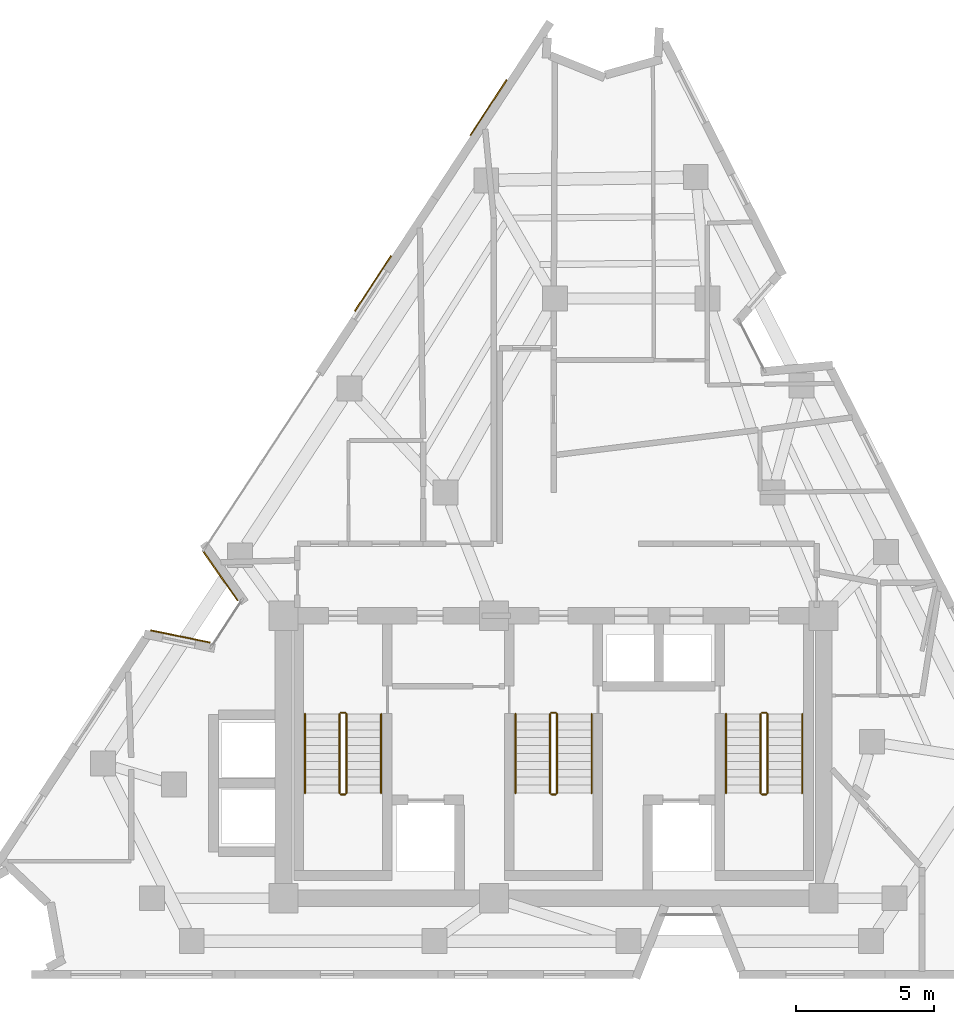
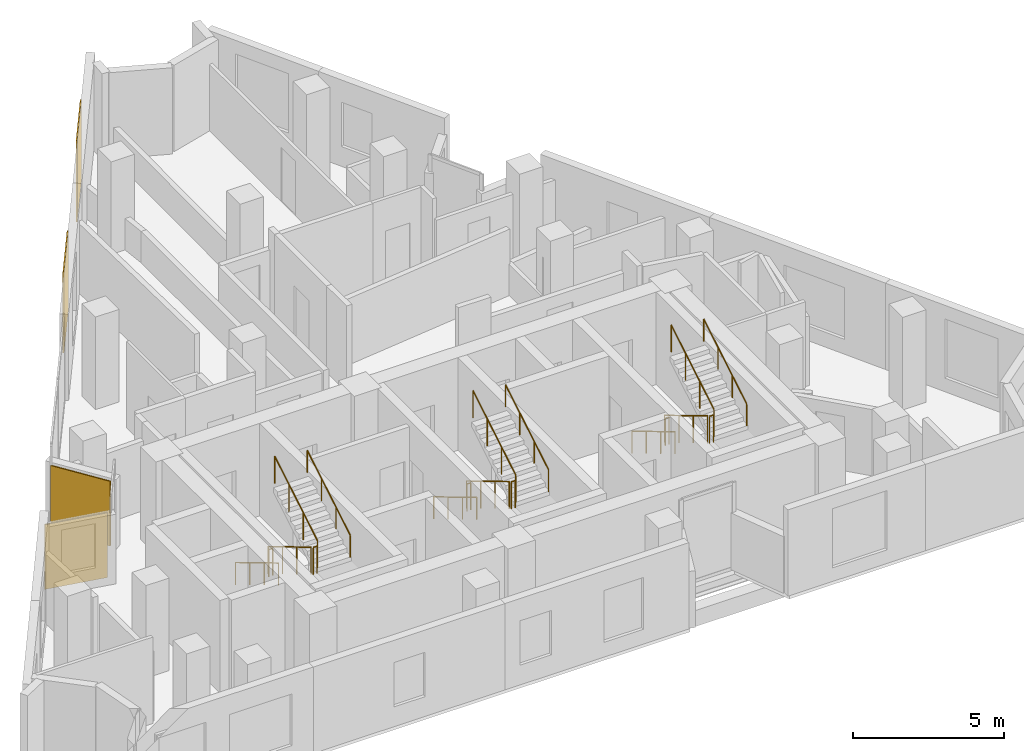
# One storey, part 9 of 9: 18 railings, 4 coverings.
"""IFC4 building model written with IfcOpenShell, lengths in metres."""

from ifc_helpers import new_model, si_unit, direction, frame, origin, origin_2d, place, context, subcontext, project, spatial, rectangle, circle, extrude, material, layer, layer_set, type_object, element, save


model = new_model("IFC4")

# Units and contexts
model_context = context("Model", 3, precision=1e-05, world=origin(), true_north=direction((0.0, 1.0)))
body_context = subcontext(model_context, "Body", "Model", "MODEL_VIEW")
ifc_project = project(units=[si_unit("LENGTHUNIT", "METRE"), si_unit("AREAUNIT", "SQUARE_METRE"), si_unit("VOLUMEUNIT", "CUBIC_METRE"), si_unit("PLANEANGLEUNIT", "RADIAN"), si_unit("MASSUNIT", "GRAM", prefix="KILO")], contexts=[model_context])

# Site, building, storey
site_placement = place(None, origin())
site = spatial("IfcSite", under=ifc_project, at=site_placement, CompositionType="ELEMENT")
building_placement = place(site_placement, origin())
building = spatial("IfcBuilding", under=site, at=building_placement, Name="Almagre Mirador Tower", CompositionType="ELEMENT")
storey_placement = place(building_placement, frame((0.0, 0.0, 248.25)))
storey = spatial("IfcBuildingStorey", under=building, at=storey_placement, Name="L64", CompositionType="ELEMENT", Elevation=248.25)

# Coverings
ifc_material_1 = material(Name="Almagre terracotta architectural cladding", Category="masonry")
ifc_layer = layer(ifc_material_1, 0.044921875)
ifc_layer_set = layer_set([ifc_layer], Name="Almagre terracotta architectural cladding")
covering_type = type_object("IfcCoveringType", Name="COV-CLAD-ALMAGRE", PredefinedType="CLADDING", material=ifc_layer_set)
for number, where, z_axis, x_axis, name in (
    (1, (23.82568359375, 14.001953125, 0.10009765625), (0.0, 0.0, 1.0), (0.979501484897, -0.201436940713, 0.0), "L64 almagre terracotta pier cladding"),
    (2, (25.26611328125, 16.195556640625, 0.10009765625), (0.0, 0.0, 1.0), (-0.573590733164, 0.819142033367, 0.0), "L64 almagre terracotta pier cladding"),
):
    element("IfcCovering", number, at=place(storey_placement, frame(where, z_axis=z_axis, x_axis=x_axis)), inside=storey, type_object=covering_type, Name=name, PredefinedType="CLADDING", context=body_context, shape_type="SweptSolid", body=[
        extrude(rectangle(XDim=2.193115234375, YDim=0.044921875, at=origin_2d()), origin(), (0.0, 0.0, 1.0), 2.625),
    ])
for number, where, z_axis, x_axis, name in (
    (3, (30.77978515625, 26.744140625, 0.10009765625), (0.0, 0.0, 1.0), (0.549051992844, 0.835788196347, 0.0), "L64 almagre terracotta pier cladding"),
    (4, (34.951171875, 33.093994140625, 0.10009765625), (0.0, 0.0, 1.0), (0.549051992844, 0.835788196347, 0.0), "L64 almagre terracotta pier cladding"),
):
    element("IfcCovering", number, at=place(storey_placement, frame(where, z_axis=z_axis, x_axis=x_axis)), inside=storey, type_object=covering_type, Name=name, PredefinedType="CLADDING", context=body_context, shape_type="SweptSolid", body=[
        extrude(rectangle(XDim=2.39990234375, YDim=0.044921875, at=origin_2d()), origin(), (0.0, 0.0, 1.0), 3.300048828125),
    ])

# Railings
ifc_material_2 = material(Name="Painted galvanized steel", Category="steel")
railing_type_1 = type_object("IfcRailingType", Name="RLG-GRD-1100", PredefinedType="GUARDRAIL", material=ifc_material_2)
railing_1_placement = place(storey_placement, frame((29.574951171875, 11.199951171875, 0.17041015625)))
element("IfcRailing", 5, at=railing_1_placement, inside=storey, type_object=railing_type_1, Name="L64 ST-1 stair guard 1", PredefinedType="GUARDRAIL", context=body_context, shape_type="SweptSolid", body=[
    extrude(circle(Radius=0.02392578125, at=origin_2d()), frame((0.0, 0.0, 1.09619140625), z_axis=(0.0, -0.858199205511, 0.513316786848), x_axis=(1.0, 0.0, 0.0)), (0.0, 0.0, 1.0), 3.32080078125),
    extrude(circle(Radius=0.02099609375, at=origin_2d()), origin(), (0.0, 0.0, 1.0), 1.072021484375),
    extrude(circle(Radius=0.02099609375, at=origin_2d()), frame((0.0, -0.949951171875, 0.568115234375)), (0.0, 0.0, 1.0), 1.072021484375),
    extrude(circle(Radius=0.02099609375, at=origin_2d()), frame((0.0, -1.89990234375, 1.136474609375)), (0.0, 0.0, 1.0), 1.072021484375),
    extrude(circle(Radius=0.02099609375, at=origin_2d()), frame((0.0, -2.849853515625, 1.70458984375)), (0.0, 0.0, 1.0), 1.072021484375),
])
railing_2_placement = place(storey_placement, frame((29.625, 8.300048828125, 1.875)))
element("IfcRailing", 6, at=railing_2_placement, inside=storey, type_object=railing_type_1, Name="L64 ST-1 stair guard 2", PredefinedType="GUARDRAIL", context=body_context, shape_type="SweptSolid", body=[
    extrude(circle(Radius=0.02392578125, at=origin_2d()), frame((0.0, 0.0, 1.09619140625), z_axis=(1.0, 0.0, 0.0), x_axis=(0.0, 1.0, 0.0)), (0.0, 0.0, 1.0), 0.14990234375),
    extrude(circle(Radius=0.02099609375, at=origin_2d()), origin(), (0.0, 0.0, 1.0), 1.072021484375),
    extrude(circle(Radius=0.02099609375, at=origin_2d()), frame((0.14990234375, 0.0, 0.0)), (0.0, 0.0, 1.0), 1.072021484375),
])
railing_3_placement = place(storey_placement, frame((29.824951171875, 8.35009765625, 2.04541015625)))
element("IfcRailing", 7, at=railing_3_placement, inside=storey, type_object=railing_type_1, Name="L64 ST-1 stair guard 3", PredefinedType="GUARDRAIL", context=body_context, shape_type="SweptSolid", body=[
    extrude(circle(Radius=0.02392578125, at=origin_2d()), frame((0.0, 0.0, 1.09619140625), z_axis=(0.0, 0.858199205511, 0.513316786848), x_axis=(-1.0, 0.0, 0.0)), (0.0, 0.0, 1.0), 3.32080078125),
    extrude(circle(Radius=0.02099609375, at=origin_2d()), origin(), (0.0, 0.0, 1.0), 1.072021484375),
    extrude(circle(Radius=0.02099609375, at=origin_2d()), frame((0.0, 0.949951171875, 0.568115234375)), (0.0, 0.0, 1.0), 1.072021484375),
    extrude(circle(Radius=0.02099609375, at=origin_2d()), frame((0.0, 1.89990234375, 1.136474609375)), (0.0, 0.0, 1.0), 1.072021484375),
    extrude(circle(Radius=0.02099609375, at=origin_2d()), frame((0.0, 2.849853515625, 1.70458984375)), (0.0, 0.0, 1.0), 1.072021484375),
])
railing_4_placement = place(storey_placement, frame((29.625, 11.25, 0.0)))
element("IfcRailing", 8, at=railing_4_placement, inside=storey, type_object=railing_type_1, Name="L64 ST-1 stair guard 4", PredefinedType="GUARDRAIL", context=body_context, shape_type="SweptSolid", body=[
    extrude(circle(Radius=0.02392578125, at=origin_2d()), frame((0.0, 0.0, 1.09619140625), z_axis=(1.0, 0.0, 0.0), x_axis=(0.0, 1.0, 0.0)), (0.0, 0.0, 1.0), 0.14990234375),
    extrude(circle(Radius=0.02099609375, at=origin_2d()), origin(), (0.0, 0.0, 1.0), 1.072021484375),
    extrude(circle(Radius=0.02099609375, at=origin_2d()), frame((0.14990234375, 0.0, 0.0)), (0.0, 0.0, 1.0), 1.072021484375),
])
railing_5_placement = place(storey_placement, frame((37.175048828125, 11.199951171875, 0.17041015625)))
element("IfcRailing", 9, at=railing_5_placement, inside=storey, type_object=railing_type_1, Name="L64 ST-2 stair guard 1", PredefinedType="GUARDRAIL", context=body_context, shape_type="SweptSolid", body=[
    extrude(circle(Radius=0.02392578125, at=origin_2d()), frame((0.0, 0.0, 1.09619140625), z_axis=(0.0, -0.858199205511, 0.513316786848), x_axis=(1.0, 0.0, 0.0)), (0.0, 0.0, 1.0), 3.32080078125),
    extrude(circle(Radius=0.02099609375, at=origin_2d()), origin(), (0.0, 0.0, 1.0), 1.072021484375),
    extrude(circle(Radius=0.02099609375, at=origin_2d()), frame((0.0, -0.949951171875, 0.568115234375)), (0.0, 0.0, 1.0), 1.072021484375),
    extrude(circle(Radius=0.02099609375, at=origin_2d()), frame((0.0, -1.89990234375, 1.136474609375)), (0.0, 0.0, 1.0), 1.072021484375),
    extrude(circle(Radius=0.02099609375, at=origin_2d()), frame((0.0, -2.849853515625, 1.70458984375)), (0.0, 0.0, 1.0), 1.072021484375),
])
railing_6_placement = place(storey_placement, frame((37.22509765625, 8.300048828125, 1.875)))
element("IfcRailing", 10, at=railing_6_placement, inside=storey, type_object=railing_type_1, Name="L64 ST-2 stair guard 2", PredefinedType="GUARDRAIL", context=body_context, shape_type="SweptSolid", body=[
    extrude(circle(Radius=0.02392578125, at=origin_2d()), frame((0.0, 0.0, 1.09619140625), z_axis=(1.0, 0.0, 0.0), x_axis=(0.0, 1.0, 0.0)), (0.0, 0.0, 1.0), 0.14990234375),
    extrude(circle(Radius=0.02099609375, at=origin_2d()), origin(), (0.0, 0.0, 1.0), 1.072021484375),
    extrude(circle(Radius=0.02099609375, at=origin_2d()), frame((0.14990234375, 0.0, 0.0)), (0.0, 0.0, 1.0), 1.072021484375),
])
railing_7_placement = place(storey_placement, frame((37.425048828125, 8.35009765625, 2.04541015625)))
element("IfcRailing", 11, at=railing_7_placement, inside=storey, type_object=railing_type_1, Name="L64 ST-2 stair guard 3", PredefinedType="GUARDRAIL", context=body_context, shape_type="SweptSolid", body=[
    extrude(circle(Radius=0.02392578125, at=origin_2d()), frame((0.0, 0.0, 1.09619140625), z_axis=(0.0, 0.858199205511, 0.513316786848), x_axis=(-1.0, 0.0, 0.0)), (0.0, 0.0, 1.0), 3.32080078125),
    extrude(circle(Radius=0.02099609375, at=origin_2d()), origin(), (0.0, 0.0, 1.0), 1.072021484375),
    extrude(circle(Radius=0.02099609375, at=origin_2d()), frame((0.0, 0.949951171875, 0.568115234375)), (0.0, 0.0, 1.0), 1.072021484375),
    extrude(circle(Radius=0.02099609375, at=origin_2d()), frame((0.0, 1.89990234375, 1.136474609375)), (0.0, 0.0, 1.0), 1.072021484375),
    extrude(circle(Radius=0.02099609375, at=origin_2d()), frame((0.0, 2.849853515625, 1.70458984375)), (0.0, 0.0, 1.0), 1.072021484375),
])
railing_8_placement = place(storey_placement, frame((37.22509765625, 11.25, 0.0)))
element("IfcRailing", 12, at=railing_8_placement, inside=storey, type_object=railing_type_1, Name="L64 ST-2 stair guard 4", PredefinedType="GUARDRAIL", context=body_context, shape_type="SweptSolid", body=[
    extrude(circle(Radius=0.02392578125, at=origin_2d()), frame((0.0, 0.0, 1.09619140625), z_axis=(1.0, 0.0, 0.0), x_axis=(0.0, 1.0, 0.0)), (0.0, 0.0, 1.0), 0.14990234375),
    extrude(circle(Radius=0.02099609375, at=origin_2d()), origin(), (0.0, 0.0, 1.0), 1.072021484375),
    extrude(circle(Radius=0.02099609375, at=origin_2d()), frame((0.14990234375, 0.0, 0.0)), (0.0, 0.0, 1.0), 1.072021484375),
])
railing_9_placement = place(storey_placement, frame((44.77490234375, 11.199951171875, 0.17041015625)))
element("IfcRailing", 13, at=railing_9_placement, inside=storey, type_object=railing_type_1, Name="L64 ST-3 stair guard 1", PredefinedType="GUARDRAIL", context=body_context, shape_type="SweptSolid", body=[
    extrude(circle(Radius=0.02392578125, at=origin_2d()), frame((0.0, 0.0, 1.09619140625), z_axis=(0.0, -0.858199205511, 0.513316786848), x_axis=(1.0, 0.0, 0.0)), (0.0, 0.0, 1.0), 3.32080078125),
    extrude(circle(Radius=0.02099609375, at=origin_2d()), origin(), (0.0, 0.0, 1.0), 1.072021484375),
    extrude(circle(Radius=0.02099609375, at=origin_2d()), frame((0.0, -0.949951171875, 0.568115234375)), (0.0, 0.0, 1.0), 1.072021484375),
    extrude(circle(Radius=0.02099609375, at=origin_2d()), frame((0.0, -1.89990234375, 1.136474609375)), (0.0, 0.0, 1.0), 1.072021484375),
    extrude(circle(Radius=0.02099609375, at=origin_2d()), frame((0.0, -2.849853515625, 1.70458984375)), (0.0, 0.0, 1.0), 1.072021484375),
])
railing_10_placement = place(storey_placement, frame((44.824951171875, 8.300048828125, 1.875)))
element("IfcRailing", 14, at=railing_10_placement, inside=storey, type_object=railing_type_1, Name="L64 ST-3 stair guard 2", PredefinedType="GUARDRAIL", context=body_context, shape_type="SweptSolid", body=[
    extrude(circle(Radius=0.02392578125, at=origin_2d()), frame((0.0, 0.0, 1.09619140625), z_axis=(1.0, 0.0, 0.0), x_axis=(0.0, 1.0, 0.0)), (0.0, 0.0, 1.0), 0.150146484375),
    extrude(circle(Radius=0.02099609375, at=origin_2d()), origin(), (0.0, 0.0, 1.0), 1.072021484375),
    extrude(circle(Radius=0.02099609375, at=origin_2d()), frame((0.150146484375, 0.0, 0.0)), (0.0, 0.0, 1.0), 1.072021484375),
])
railing_11_placement = place(storey_placement, frame((45.02490234375, 8.35009765625, 2.04541015625)))
element("IfcRailing", 15, at=railing_11_placement, inside=storey, type_object=railing_type_1, Name="L64 ST-3 stair guard 3", PredefinedType="GUARDRAIL", context=body_context, shape_type="SweptSolid", body=[
    extrude(circle(Radius=0.02392578125, at=origin_2d()), frame((0.0, 0.0, 1.09619140625), z_axis=(0.0, 0.858199205511, 0.513316786848), x_axis=(-1.0, 0.0, 0.0)), (0.0, 0.0, 1.0), 3.32080078125),
    extrude(circle(Radius=0.02099609375, at=origin_2d()), origin(), (0.0, 0.0, 1.0), 1.072021484375),
    extrude(circle(Radius=0.02099609375, at=origin_2d()), frame((0.0, 0.949951171875, 0.568115234375)), (0.0, 0.0, 1.0), 1.072021484375),
    extrude(circle(Radius=0.02099609375, at=origin_2d()), frame((0.0, 1.89990234375, 1.136474609375)), (0.0, 0.0, 1.0), 1.072021484375),
    extrude(circle(Radius=0.02099609375, at=origin_2d()), frame((0.0, 2.849853515625, 1.70458984375)), (0.0, 0.0, 1.0), 1.072021484375),
])
railing_12_placement = place(storey_placement, frame((44.824951171875, 11.25, 0.0)))
element("IfcRailing", 16, at=railing_12_placement, inside=storey, type_object=railing_type_1, Name="L64 ST-3 stair guard 4", PredefinedType="GUARDRAIL", context=body_context, shape_type="SweptSolid", body=[
    extrude(circle(Radius=0.02392578125, at=origin_2d()), frame((0.0, 0.0, 1.09619140625), z_axis=(1.0, 0.0, 0.0), x_axis=(0.0, 1.0, 0.0)), (0.0, 0.0, 1.0), 0.150146484375),
    extrude(circle(Radius=0.02099609375, at=origin_2d()), origin(), (0.0, 0.0, 1.0), 1.072021484375),
    extrude(circle(Radius=0.02099609375, at=origin_2d()), frame((0.150146484375, 0.0, 0.0)), (0.0, 0.0, 1.0), 1.072021484375),
])
ifc_material_3 = material(Name="Brushed stainless steel", Category="steel")
railing_type_2 = type_object("IfcRailingType", Name="RLG-HND-915", PredefinedType="HANDRAIL", material=ifc_material_3)
railing_13_placement = place(storey_placement, frame((28.324951171875, 11.199951171875, 0.17041015625)))
element("IfcRailing", 17, at=railing_13_placement, inside=storey, type_object=railing_type_2, Name="L64 ST-1 stair handrail 1", PredefinedType="HANDRAIL", context=body_context, shape_type="SweptSolid", body=[
    extrude(circle(Radius=0.02392578125, at=origin_2d()), frame((0.0, 0.0, 0.89111328125), z_axis=(0.0, -0.858199205511, 0.513316786848), x_axis=(1.0, 0.0, 0.0)), (0.0, 0.0, 1.0), 3.32080078125),
    extrude(circle(Radius=0.02099609375, at=origin_2d()), origin(), (0.0, 0.0, 1.0), 0.866943359375),
    extrude(circle(Radius=0.02099609375, at=origin_2d()), frame((0.0, -0.949951171875, 0.568115234375)), (0.0, 0.0, 1.0), 0.866943359375),
    extrude(circle(Radius=0.02099609375, at=origin_2d()), frame((0.0, -1.89990234375, 1.136474609375)), (0.0, 0.0, 1.0), 0.866943359375),
    extrude(circle(Radius=0.02099609375, at=origin_2d()), frame((0.0, -2.849853515625, 1.70458984375)), (0.0, 0.0, 1.0), 0.866943359375),
])
railing_14_placement = place(storey_placement, frame((31.074951171875, 8.35009765625, 2.04541015625)))
element("IfcRailing", 18, at=railing_14_placement, inside=storey, type_object=railing_type_2, Name="L64 ST-1 stair handrail 2", PredefinedType="HANDRAIL", context=body_context, shape_type="SweptSolid", body=[
    extrude(circle(Radius=0.02392578125, at=origin_2d()), frame((0.0, 0.0, 0.89111328125), z_axis=(0.0, 0.858199205511, 0.513316786848), x_axis=(-1.0, 0.0, 0.0)), (0.0, 0.0, 1.0), 3.32080078125),
    extrude(circle(Radius=0.02099609375, at=origin_2d()), origin(), (0.0, 0.0, 1.0), 0.866943359375),
    extrude(circle(Radius=0.02099609375, at=origin_2d()), frame((0.0, 0.949951171875, 0.568115234375)), (0.0, 0.0, 1.0), 0.866943359375),
    extrude(circle(Radius=0.02099609375, at=origin_2d()), frame((0.0, 1.89990234375, 1.136474609375)), (0.0, 0.0, 1.0), 0.866943359375),
    extrude(circle(Radius=0.02099609375, at=origin_2d()), frame((0.0, 2.849853515625, 1.70458984375)), (0.0, 0.0, 1.0), 0.866943359375),
])
railing_15_placement = place(storey_placement, frame((35.925048828125, 11.199951171875, 0.17041015625)))
element("IfcRailing", 19, at=railing_15_placement, inside=storey, type_object=railing_type_2, Name="L64 ST-2 stair handrail 1", PredefinedType="HANDRAIL", context=body_context, shape_type="SweptSolid", body=[
    extrude(circle(Radius=0.02392578125, at=origin_2d()), frame((0.0, 0.0, 0.89111328125), z_axis=(0.0, -0.858199205511, 0.513316786848), x_axis=(1.0, 0.0, 0.0)), (0.0, 0.0, 1.0), 3.32080078125),
    extrude(circle(Radius=0.02099609375, at=origin_2d()), origin(), (0.0, 0.0, 1.0), 0.866943359375),
    extrude(circle(Radius=0.02099609375, at=origin_2d()), frame((0.0, -0.949951171875, 0.568115234375)), (0.0, 0.0, 1.0), 0.866943359375),
    extrude(circle(Radius=0.02099609375, at=origin_2d()), frame((0.0, -1.89990234375, 1.136474609375)), (0.0, 0.0, 1.0), 0.866943359375),
    extrude(circle(Radius=0.02099609375, at=origin_2d()), frame((0.0, -2.849853515625, 1.70458984375)), (0.0, 0.0, 1.0), 0.866943359375),
])
railing_16_placement = place(storey_placement, frame((38.675048828125, 8.35009765625, 2.04541015625)))
element("IfcRailing", 20, at=railing_16_placement, inside=storey, type_object=railing_type_2, Name="L64 ST-2 stair handrail 2", PredefinedType="HANDRAIL", context=body_context, shape_type="SweptSolid", body=[
    extrude(circle(Radius=0.02392578125, at=origin_2d()), frame((0.0, 0.0, 0.89111328125), z_axis=(0.0, 0.858199205511, 0.513316786848), x_axis=(-1.0, 0.0, 0.0)), (0.0, 0.0, 1.0), 3.32080078125),
    extrude(circle(Radius=0.02099609375, at=origin_2d()), origin(), (0.0, 0.0, 1.0), 0.866943359375),
    extrude(circle(Radius=0.02099609375, at=origin_2d()), frame((0.0, 0.949951171875, 0.568115234375)), (0.0, 0.0, 1.0), 0.866943359375),
    extrude(circle(Radius=0.02099609375, at=origin_2d()), frame((0.0, 1.89990234375, 1.136474609375)), (0.0, 0.0, 1.0), 0.866943359375),
    extrude(circle(Radius=0.02099609375, at=origin_2d()), frame((0.0, 2.849853515625, 1.70458984375)), (0.0, 0.0, 1.0), 0.866943359375),
])
railing_17_placement = place(storey_placement, frame((43.52490234375, 11.199951171875, 0.17041015625)))
element("IfcRailing", 21, at=railing_17_placement, inside=storey, type_object=railing_type_2, Name="L64 ST-3 stair handrail 1", PredefinedType="HANDRAIL", context=body_context, shape_type="SweptSolid", body=[
    extrude(circle(Radius=0.02392578125, at=origin_2d()), frame((0.0, 0.0, 0.89111328125), z_axis=(0.0, -0.858199205511, 0.513316786848), x_axis=(1.0, 0.0, 0.0)), (0.0, 0.0, 1.0), 3.32080078125),
    extrude(circle(Radius=0.02099609375, at=origin_2d()), origin(), (0.0, 0.0, 1.0), 0.866943359375),
    extrude(circle(Radius=0.02099609375, at=origin_2d()), frame((0.0, -0.949951171875, 0.568115234375)), (0.0, 0.0, 1.0), 0.866943359375),
    extrude(circle(Radius=0.02099609375, at=origin_2d()), frame((0.0, -1.89990234375, 1.136474609375)), (0.0, 0.0, 1.0), 0.866943359375),
    extrude(circle(Radius=0.02099609375, at=origin_2d()), frame((0.0, -2.849853515625, 1.70458984375)), (0.0, 0.0, 1.0), 0.866943359375),
])
railing_18_placement = place(storey_placement, frame((46.27490234375, 8.35009765625, 2.04541015625)))
element("IfcRailing", 22, at=railing_18_placement, inside=storey, type_object=railing_type_2, Name="L64 ST-3 stair handrail 2", PredefinedType="HANDRAIL", context=body_context, shape_type="SweptSolid", body=[
    extrude(circle(Radius=0.02392578125, at=origin_2d()), frame((0.0, 0.0, 0.89111328125), z_axis=(0.0, 0.858199205511, 0.513316786848), x_axis=(-1.0, 0.0, 0.0)), (0.0, 0.0, 1.0), 3.32080078125),
    extrude(circle(Radius=0.02099609375, at=origin_2d()), origin(), (0.0, 0.0, 1.0), 0.866943359375),
    extrude(circle(Radius=0.02099609375, at=origin_2d()), frame((0.0, 0.949951171875, 0.568115234375)), (0.0, 0.0, 1.0), 0.866943359375),
    extrude(circle(Radius=0.02099609375, at=origin_2d()), frame((0.0, 1.89990234375, 1.136474609375)), (0.0, 0.0, 1.0), 0.866943359375),
    extrude(circle(Radius=0.02099609375, at=origin_2d()), frame((0.0, 2.849853515625, 1.70458984375)), (0.0, 0.0, 1.0), 0.866943359375),
])

save(model, "model.ifc")
